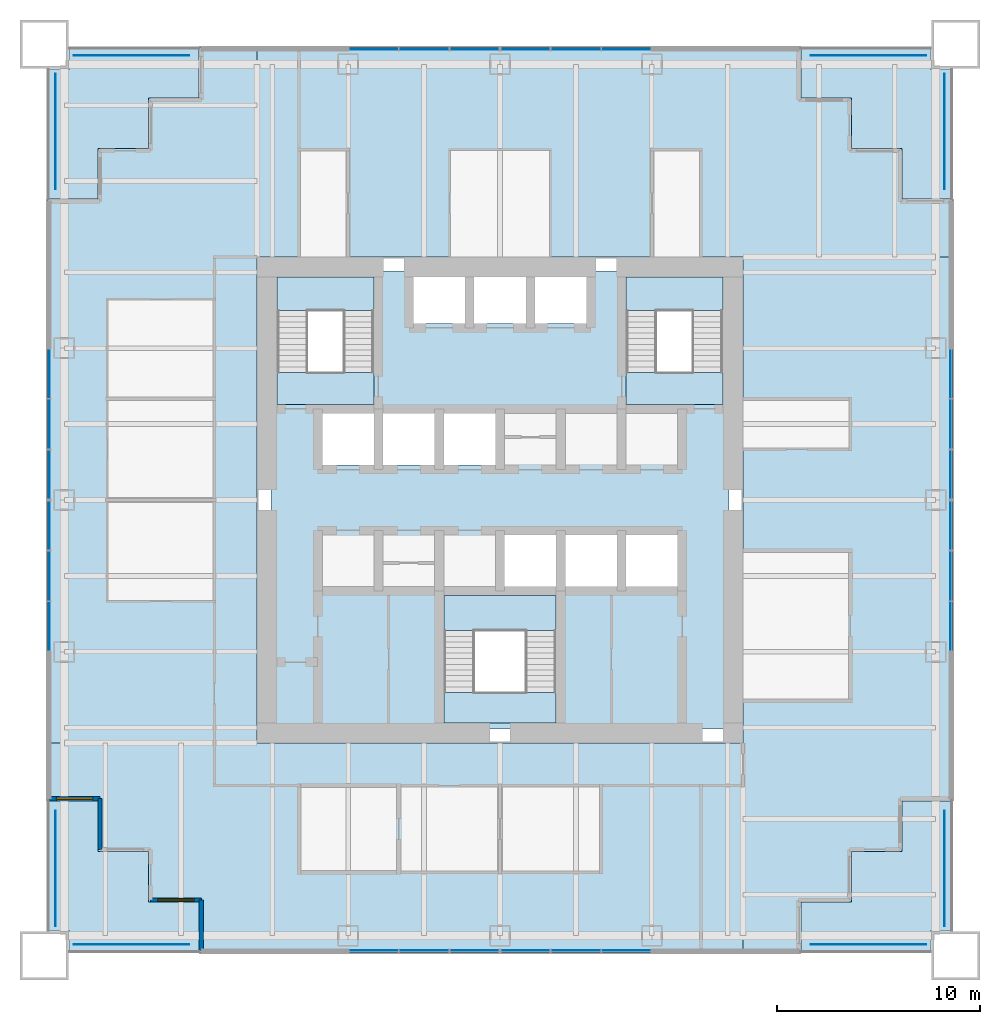
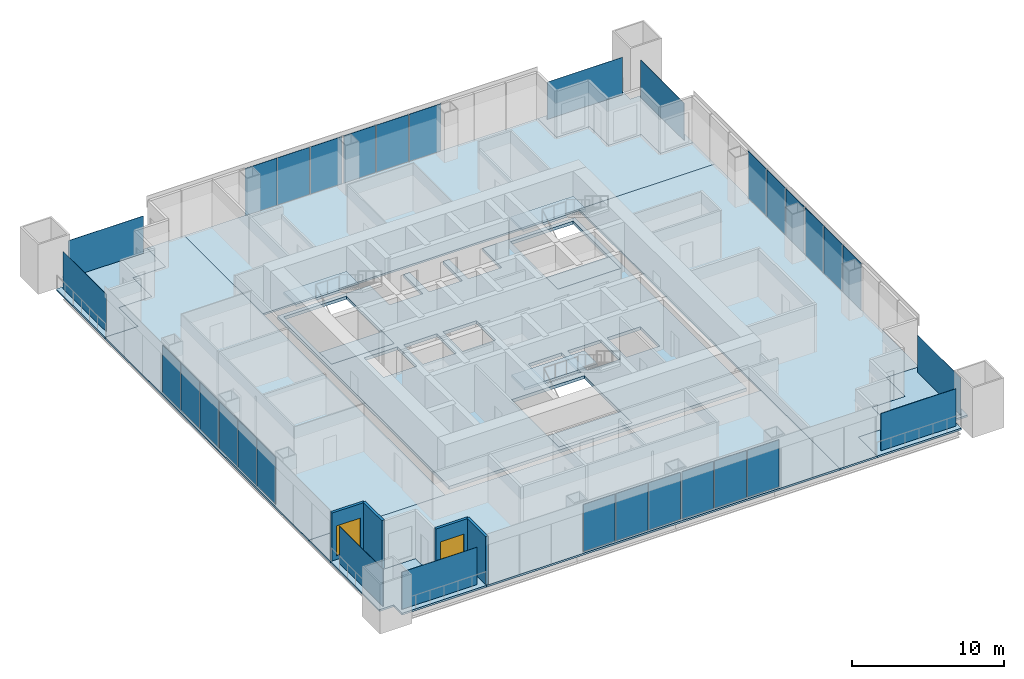
# One storey, part 7 of 13: 32 plates, 15 slabs, 4 walls, 2 windows, 2 openings, 11 elements without a shape of their own.
"""IFC4 building model written with IfcOpenShell, lengths in metres."""

from ifc_helpers import new_model, si_unit, direction, frame, frame_2d, origin, origin_2d, place, context, subcontext, project, spatial, polyline, rectangle, outline, extrude, material, layer, layer_set, type_object, element, fill, aggregate, save


model = new_model("IFC4")

# Units and contexts
model_context = context("Model", 3, precision=1e-05, world=origin(), true_north=direction((0.0, 1.0)))
body_context = subcontext(model_context, "Body", "Model", "MODEL_VIEW")
ifc_project = project(units=[si_unit("LENGTHUNIT", "METRE"), si_unit("AREAUNIT", "SQUARE_METRE"), si_unit("VOLUMEUNIT", "CUBIC_METRE"), si_unit("PLANEANGLEUNIT", "RADIAN"), si_unit("MASSUNIT", "GRAM", prefix="KILO")], contexts=[model_context])

# Site, building, storey
site_placement = place(None, origin())
site = spatial("IfcSite", under=ifc_project, at=site_placement, CompositionType="ELEMENT")
building_placement = place(site_placement, origin())
building = spatial("IfcBuilding", under=site, at=building_placement, Name="Tarangal Relay Tower", CompositionType="ELEMENT")
storey_placement = place(building_placement, frame((0.0, 0.0, 241.89990234375)))
storey = spatial("IfcBuildingStorey", under=building, at=storey_placement, Name="L52", CompositionType="ELEMENT", Elevation=241.89990234375)

# Slabs
ifc_material_1 = material(Name="Concrete fc' 35 MPa", Category="concrete")
ifc_layer_1 = layer(ifc_material_1, 0.25)
ifc_layer_set_1 = layer_set([ifc_layer_1], Name="Core floor slab 250")
slab_type_1 = type_object("IfcSlabType", Name="Core floor slab 250", PredefinedType="FLOOR", material=ifc_layer_set_1)
slab_1_placement = place(storey_placement, frame((0.0, 0.0, -0.25)))
element("IfcSlab", 1, at=slab_1_placement, inside=storey, type_object=slab_type_1, Name="Core floor slab L52", PredefinedType="FLOOR", context=body_context, shape_type="SweptSolid", body=[
    extrude(outline(polyline([(11.300048828125, 11.300048828125), (11.300048828125, -11.300048828125), (-11.300048828125, -11.300048828125), (-11.300048828125, 11.300048828125), (-4.27490234375, 11.300048828125), (-4.27490234375, 8.72509765625), (-1.72509765625, 8.72509765625), (-1.72509765625, 11.300048828125), (-1.27490234375, 11.300048828125), (-1.27490234375, 8.72509765625), (1.27490234375, 8.72509765625), (1.27490234375, 11.300048828125), (1.72509765625, 11.300048828125), (1.72509765625, 8.72509765625), (4.27490234375, 8.72509765625), (4.27490234375, 11.300048828125), (11.300048828125, 11.300048828125)]), holes=[polyline([(-6.22509765625, 4.27490234375), (-8.77490234375, 4.27490234375), (-8.77490234375, 1.72509765625), (-6.22509765625, 1.72509765625), (-6.22509765625, 4.27490234375)]), polyline([(-3.22509765625, 1.72509765625), (-3.22509765625, 4.27490234375), (-5.77490234375, 4.27490234375), (-5.77490234375, 1.72509765625), (-3.22509765625, 1.72509765625)]), polyline([(-0.22509765625, 1.72509765625), (-0.22509765625, 4.27490234375), (-2.77490234375, 4.27490234375), (-2.77490234375, 1.72509765625), (-0.22509765625, 1.72509765625)]), polyline([(-6.22509765625, 11.0), (-11.0, 11.0), (-11.0, 4.72509765625), (-6.22509765625, 4.72509765625), (-6.22509765625, 11.0)]), polyline([(2.77490234375, -4.72509765625), (-2.77490234375, -4.72509765625), (-2.77490234375, -11.0), (2.77490234375, -11.0), (2.77490234375, -4.72509765625)]), polyline([(2.77490234375, -4.27490234375), (2.77490234375, -1.72509765625), (0.22509765625, -1.72509765625), (0.22509765625, -4.27490234375), (2.77490234375, -4.27490234375)]), polyline([(5.77490234375, -4.27490234375), (5.77490234375, -1.72509765625), (3.22509765625, -1.72509765625), (3.22509765625, -4.27490234375), (5.77490234375, -4.27490234375)]), polyline([(8.77490234375, -1.72509765625), (6.22509765625, -1.72509765625), (6.22509765625, -4.27490234375), (8.77490234375, -4.27490234375), (8.77490234375, -1.72509765625)]), polyline([(11.0, 4.72509765625), (11.0, 11.0), (6.22509765625, 11.0), (6.22509765625, 4.72509765625), (11.0, 4.72509765625)])]), origin(), (0.0, 0.0, 1.0), 0.25),
])
ifc_layer_2 = layer(ifc_material_1, 0.14990234375)
ifc_layer_set_2 = layer_set([ifc_layer_2], Name="Floor slab 150")
slab_type_2 = type_object("IfcSlabType", Name="Floor slab 150", PredefinedType="FLOOR", material=ifc_layer_set_2)
slab_2_placement = place(storey_placement, frame((0.0, 0.0, -0.14990234375)))
element("IfcSlab", 2, at=slab_2_placement, inside=storey, type_object=slab_type_2, Name="Floor slab FS3 L52 north bay", PredefinedType="FLOOR", context=body_context, shape_type="SweptSolid", body=[
    extrude(outline(polyline([(14.85009765625, 22.35009765625), (14.85009765625, 19.85009765625), (17.35009765625, 19.85009765625), (17.35009765625, 17.35009765625), (19.85009765625, 17.35009765625), (19.85009765625, 14.85009765625), (22.35009765625, 14.85009765625), (22.35009765625, 12.0), (-12.0, 12.0), (-12.0, 22.35009765625), (14.85009765625, 22.35009765625)])), origin(), (0.0, 0.0, 1.0), 0.14990234375),
])
slab_3_placement = place(storey_placement, frame((0.0, 0.0, -0.14990234375)))
element("IfcSlab", 3, at=slab_3_placement, inside=storey, type_object=slab_type_2, Name="Floor slab FS3 L52 east bay", PredefinedType="FLOOR", context=body_context, shape_type="SweptSolid", body=[
    extrude(outline(polyline([(22.35009765625, -14.85009765625), (19.85009765625, -14.85009765625), (19.85009765625, -17.35009765625), (17.35009765625, -17.35009765625), (17.35009765625, -19.85009765625), (14.85009765625, -19.85009765625), (14.85009765625, -22.35009765625), (12.0, -22.35009765625), (12.0, 12.0), (22.35009765625, 12.0), (22.35009765625, -14.85009765625)])), origin(), (0.0, 0.0, 1.0), 0.14990234375),
])
slab_4_placement = place(storey_placement, frame((0.0, 0.0, -0.14990234375)))
element("IfcSlab", 4, at=slab_4_placement, inside=storey, type_object=slab_type_2, Name="Floor slab FS3 L52 south bay", PredefinedType="FLOOR", context=body_context, shape_type="SweptSolid", body=[
    extrude(outline(polyline([(-14.85009765625, -22.35009765625), (-14.85009765625, -19.85009765625), (-17.35009765625, -19.85009765625), (-17.35009765625, -17.35009765625), (-19.85009765625, -17.35009765625), (-19.85009765625, -14.85009765625), (-22.35009765625, -14.85009765625), (-22.35009765625, -12.0), (12.0, -12.0), (12.0, -22.35009765625), (-14.85009765625, -22.35009765625)])), origin(), (0.0, 0.0, 1.0), 0.14990234375),
])
slab_5_placement = place(storey_placement, frame((0.0, 0.0, -0.14990234375)))
element("IfcSlab", 5, at=slab_5_placement, inside=storey, type_object=slab_type_2, Name="Floor slab FS3 L52 west bay", PredefinedType="FLOOR", context=body_context, shape_type="SweptSolid", body=[
    extrude(outline(polyline([(-12.0, 22.35009765625), (-12.0, -12.0), (-22.35009765625, -12.0), (-22.35009765625, 14.85009765625), (-19.85009765625, 14.85009765625), (-19.85009765625, 17.35009765625), (-17.35009765625, 17.35009765625), (-17.35009765625, 19.85009765625), (-14.85009765625, 19.85009765625), (-14.85009765625, 22.35009765625), (-12.0, 22.35009765625)])), origin(), (0.0, 0.0, 1.0), 0.14990234375),
])

# Curtain wall, plates
ifc_material_2 = material(Name="Unitised curtain wall, dark glass and black aluminium", Category="aluminium")
curtain_wall_type = type_object("IfcCurtainWallType", Name="Curtain wall CW-A", PredefinedType="USERDEFINED", material=ifc_material_2)
curtain_wall_1_placement = place(storey_placement, origin())
curtain_wall_1 = element("IfcCurtainWall", 6, at=curtain_wall_1_placement, inside=storey, type_object=curtain_wall_type, Name="Curtain wall CW-A N facade L52", ObjectType="UNITISED CURTAIN WALL", PredefinedType="USERDEFINED")
ifc_material_3 = material(Name="Dark tinted insulated glass unit", Category="glass")
ifc_layer_3 = layer(ifc_material_3, 0.031982421875)
ifc_layer_set_3 = layer_set([ifc_layer_3], Name="Glazed panel CW-A 32")
plate_type_1 = type_object("IfcPlateType", Name="Glazed panel CW-A 32", PredefinedType="CURTAIN_PANEL", material=ifc_layer_set_3)
plate_1_placement = place(storey_placement, frame((-6.233642578125, 22.25, 0.06494140625), z_axis=(0.0, 0.0, 1.0), x_axis=(1.0, 0.0, 0.0)))
plate_1 = element("IfcPlate", 7, at=plate_1_placement, type_object=plate_type_1, Name="CW-A panel 1.1", PredefinedType="CURTAIN_PANEL", context=body_context, shape_type="SweptSolid", body=[
    extrude(rectangle(XDim=2.402587890625, YDim=0.031982421875, at=origin_2d()), origin(), (0.0, 0.0, 1.0), 3.784912109375),
])
plate_2_placement = place(storey_placement, frame((-3.75, 22.25, 0.06494140625), z_axis=(0.0, 0.0, 1.0), x_axis=(1.0, 0.0, 0.0)))
plate_2 = element("IfcPlate", 8, at=plate_2_placement, type_object=plate_type_1, Name="CW-A panel 2.1", PredefinedType="CURTAIN_PANEL", context=body_context, shape_type="SweptSolid", body=[
    extrude(rectangle(XDim=2.43505859375, YDim=0.031982421875, at=origin_2d()), origin(), (0.0, 0.0, 1.0), 3.784912109375),
])
plate_3_placement = place(storey_placement, frame((-1.266357421875, 22.25, 0.06494140625), z_axis=(0.0, 0.0, 1.0), x_axis=(1.0, 0.0, 0.0)))
plate_3 = element("IfcPlate", 9, at=plate_3_placement, type_object=plate_type_1, Name="CW-A panel 3.1", PredefinedType="CURTAIN_PANEL", context=body_context, shape_type="SweptSolid", body=[
    extrude(rectangle(XDim=2.402587890625, YDim=0.031982421875, at=origin_2d()), origin(), (0.0, 0.0, 1.0), 3.784912109375),
])
aggregate(curtain_wall_1, [plate_1, plate_2, plate_3])

curtain_wall_2_placement = place(storey_placement, origin())
curtain_wall_2 = element("IfcCurtainWall", 10, at=curtain_wall_2_placement, inside=storey, type_object=curtain_wall_type, Name="Curtain wall CW-A N facade L52", ObjectType="UNITISED CURTAIN WALL", PredefinedType="USERDEFINED")
plate_4_placement = place(storey_placement, frame((1.266357421875, 22.25, 0.06494140625), z_axis=(0.0, 0.0, 1.0), x_axis=(1.0, 0.0, 0.0)))
plate_4 = element("IfcPlate", 11, at=plate_4_placement, type_object=plate_type_1, Name="CW-A panel 1.1", PredefinedType="CURTAIN_PANEL", context=body_context, shape_type="SweptSolid", body=[
    extrude(rectangle(XDim=2.402587890625, YDim=0.031982421875, at=origin_2d()), origin(), (0.0, 0.0, 1.0), 3.784912109375),
])
plate_5_placement = place(storey_placement, frame((3.75, 22.25, 0.06494140625), z_axis=(0.0, 0.0, 1.0), x_axis=(1.0, 0.0, 0.0)))
plate_5 = element("IfcPlate", 12, at=plate_5_placement, type_object=plate_type_1, Name="CW-A panel 2.1", PredefinedType="CURTAIN_PANEL", context=body_context, shape_type="SweptSolid", body=[
    extrude(rectangle(XDim=2.43505859375, YDim=0.031982421875, at=origin_2d()), origin(), (0.0, 0.0, 1.0), 3.784912109375),
])
plate_6_placement = place(storey_placement, frame((6.233642578125, 22.25, 0.06494140625), z_axis=(0.0, 0.0, 1.0), x_axis=(1.0, 0.0, 0.0)))
plate_6 = element("IfcPlate", 13, at=plate_6_placement, type_object=plate_type_1, Name="CW-A panel 3.1", PredefinedType="CURTAIN_PANEL", context=body_context, shape_type="SweptSolid", body=[
    extrude(rectangle(XDim=2.402587890625, YDim=0.031982421875, at=origin_2d()), origin(), (0.0, 0.0, 1.0), 3.784912109375),
])
aggregate(curtain_wall_2, [plate_4, plate_5, plate_6])

curtain_wall_3_placement = place(storey_placement, origin())
curtain_wall_3 = element("IfcCurtainWall", 14, at=curtain_wall_3_placement, inside=storey, type_object=curtain_wall_type, Name="Curtain wall CW-A E facade L52", ObjectType="UNITISED CURTAIN WALL", PredefinedType="USERDEFINED")
plate_7_placement = place(storey_placement, frame((22.25, 6.233642578125, 0.06494140625), z_axis=(0.0, 0.0, 1.0), x_axis=(0.0, -1.0, 0.0)))
plate_7 = element("IfcPlate", 15, at=plate_7_placement, type_object=plate_type_1, Name="CW-A panel 1.1", PredefinedType="CURTAIN_PANEL", context=body_context, shape_type="SweptSolid", body=[
    extrude(rectangle(XDim=2.402587890625, YDim=0.031982421875, at=origin_2d()), origin(), (0.0, 0.0, 1.0), 3.784912109375),
])
plate_8_placement = place(storey_placement, frame((22.25, 3.75, 0.06494140625), z_axis=(0.0, 0.0, 1.0), x_axis=(0.0, -1.0, 0.0)))
plate_8 = element("IfcPlate", 16, at=plate_8_placement, type_object=plate_type_1, Name="CW-A panel 2.1", PredefinedType="CURTAIN_PANEL", context=body_context, shape_type="SweptSolid", body=[
    extrude(rectangle(XDim=2.43505859375, YDim=0.031982421875, at=origin_2d()), origin(), (0.0, 0.0, 1.0), 3.784912109375),
])
plate_9_placement = place(storey_placement, frame((22.25, 1.266357421875, 0.06494140625), z_axis=(0.0, 0.0, 1.0), x_axis=(0.0, -1.0, 0.0)))
plate_9 = element("IfcPlate", 17, at=plate_9_placement, type_object=plate_type_1, Name="CW-A panel 3.1", PredefinedType="CURTAIN_PANEL", context=body_context, shape_type="SweptSolid", body=[
    extrude(rectangle(XDim=2.402587890625, YDim=0.031982421875, at=origin_2d()), origin(), (0.0, 0.0, 1.0), 3.784912109375),
])
aggregate(curtain_wall_3, [plate_7, plate_8, plate_9])

curtain_wall_4_placement = place(storey_placement, origin())
curtain_wall_4 = element("IfcCurtainWall", 18, at=curtain_wall_4_placement, inside=storey, type_object=curtain_wall_type, Name="Curtain wall CW-A E facade L52", ObjectType="UNITISED CURTAIN WALL", PredefinedType="USERDEFINED")
plate_10_placement = place(storey_placement, frame((22.25, -1.266357421875, 0.06494140625), z_axis=(0.0, 0.0, 1.0), x_axis=(0.0, -1.0, 0.0)))
plate_10 = element("IfcPlate", 19, at=plate_10_placement, type_object=plate_type_1, Name="CW-A panel 1.1", PredefinedType="CURTAIN_PANEL", context=body_context, shape_type="SweptSolid", body=[
    extrude(rectangle(XDim=2.402587890625, YDim=0.031982421875, at=origin_2d()), origin(), (0.0, 0.0, 1.0), 3.784912109375),
])
plate_11_placement = place(storey_placement, frame((22.25, -3.75, 0.06494140625), z_axis=(0.0, 0.0, 1.0), x_axis=(0.0, -1.0, 0.0)))
plate_11 = element("IfcPlate", 20, at=plate_11_placement, type_object=plate_type_1, Name="CW-A panel 2.1", PredefinedType="CURTAIN_PANEL", context=body_context, shape_type="SweptSolid", body=[
    extrude(rectangle(XDim=2.43505859375, YDim=0.031982421875, at=origin_2d()), origin(), (0.0, 0.0, 1.0), 3.784912109375),
])
plate_12_placement = place(storey_placement, frame((22.25, -6.233642578125, 0.06494140625), z_axis=(0.0, 0.0, 1.0), x_axis=(0.0, -1.0, 0.0)))
plate_12 = element("IfcPlate", 21, at=plate_12_placement, type_object=plate_type_1, Name="CW-A panel 3.1", PredefinedType="CURTAIN_PANEL", context=body_context, shape_type="SweptSolid", body=[
    extrude(rectangle(XDim=2.402587890625, YDim=0.031982421875, at=origin_2d()), origin(), (0.0, 0.0, 1.0), 3.784912109375),
])
aggregate(curtain_wall_4, [plate_10, plate_11, plate_12])

curtain_wall_5_placement = place(storey_placement, origin())
curtain_wall_5 = element("IfcCurtainWall", 22, at=curtain_wall_5_placement, inside=storey, type_object=curtain_wall_type, Name="Curtain wall CW-A S facade L52", ObjectType="UNITISED CURTAIN WALL", PredefinedType="USERDEFINED")
plate_13_placement = place(storey_placement, frame((6.233642578125, -22.25, 0.06494140625), z_axis=(0.0, 0.0, 1.0), x_axis=(-1.0, 0.0, 0.0)))
plate_13 = element("IfcPlate", 23, at=plate_13_placement, type_object=plate_type_1, Name="CW-A panel 1.1", PredefinedType="CURTAIN_PANEL", context=body_context, shape_type="SweptSolid", body=[
    extrude(rectangle(XDim=2.402587890625, YDim=0.031982421875, at=origin_2d()), origin(), (0.0, 0.0, 1.0), 3.784912109375),
])
plate_14_placement = place(storey_placement, frame((3.75, -22.25, 0.06494140625), z_axis=(0.0, 0.0, 1.0), x_axis=(-1.0, 0.0, 0.0)))
plate_14 = element("IfcPlate", 24, at=plate_14_placement, type_object=plate_type_1, Name="CW-A panel 2.1", PredefinedType="CURTAIN_PANEL", context=body_context, shape_type="SweptSolid", body=[
    extrude(rectangle(XDim=2.43505859375, YDim=0.031982421875, at=origin_2d()), origin(), (0.0, 0.0, 1.0), 3.784912109375),
])
plate_15_placement = place(storey_placement, frame((1.266357421875, -22.25, 0.06494140625), z_axis=(0.0, 0.0, 1.0), x_axis=(-1.0, 0.0, 0.0)))
plate_15 = element("IfcPlate", 25, at=plate_15_placement, type_object=plate_type_1, Name="CW-A panel 3.1", PredefinedType="CURTAIN_PANEL", context=body_context, shape_type="SweptSolid", body=[
    extrude(rectangle(XDim=2.402587890625, YDim=0.031982421875, at=origin_2d()), origin(), (0.0, 0.0, 1.0), 3.784912109375),
])
aggregate(curtain_wall_5, [plate_13, plate_14, plate_15])

curtain_wall_6_placement = place(storey_placement, origin())
curtain_wall_6 = element("IfcCurtainWall", 26, at=curtain_wall_6_placement, inside=storey, type_object=curtain_wall_type, Name="Curtain wall CW-A S facade L52", ObjectType="UNITISED CURTAIN WALL", PredefinedType="USERDEFINED")
plate_16_placement = place(storey_placement, frame((-1.266357421875, -22.25, 0.06494140625), z_axis=(0.0, 0.0, 1.0), x_axis=(-1.0, 0.0, 0.0)))
plate_16 = element("IfcPlate", 27, at=plate_16_placement, type_object=plate_type_1, Name="CW-A panel 1.1", PredefinedType="CURTAIN_PANEL", context=body_context, shape_type="SweptSolid", body=[
    extrude(rectangle(XDim=2.402587890625, YDim=0.031982421875, at=origin_2d()), origin(), (0.0, 0.0, 1.0), 3.784912109375),
])
plate_17_placement = place(storey_placement, frame((-3.75, -22.25, 0.06494140625), z_axis=(0.0, 0.0, 1.0), x_axis=(-1.0, 0.0, 0.0)))
plate_17 = element("IfcPlate", 28, at=plate_17_placement, type_object=plate_type_1, Name="CW-A panel 2.1", PredefinedType="CURTAIN_PANEL", context=body_context, shape_type="SweptSolid", body=[
    extrude(rectangle(XDim=2.43505859375, YDim=0.031982421875, at=origin_2d()), origin(), (0.0, 0.0, 1.0), 3.784912109375),
])
plate_18_placement = place(storey_placement, frame((-6.233642578125, -22.25, 0.06494140625), z_axis=(0.0, 0.0, 1.0), x_axis=(-1.0, 0.0, 0.0)))
plate_18 = element("IfcPlate", 29, at=plate_18_placement, type_object=plate_type_1, Name="CW-A panel 3.1", PredefinedType="CURTAIN_PANEL", context=body_context, shape_type="SweptSolid", body=[
    extrude(rectangle(XDim=2.402587890625, YDim=0.031982421875, at=origin_2d()), origin(), (0.0, 0.0, 1.0), 3.784912109375),
])
aggregate(curtain_wall_6, [plate_16, plate_17, plate_18])

curtain_wall_7_placement = place(storey_placement, origin())
curtain_wall_7 = element("IfcCurtainWall", 30, at=curtain_wall_7_placement, inside=storey, type_object=curtain_wall_type, Name="Curtain wall CW-A W facade L52", ObjectType="UNITISED CURTAIN WALL", PredefinedType="USERDEFINED")
plate_19_placement = place(storey_placement, frame((-22.25, -6.233642578125, 0.06494140625), z_axis=(0.0, 0.0, 1.0), x_axis=(0.0, 1.0, 0.0)))
plate_19 = element("IfcPlate", 31, at=plate_19_placement, type_object=plate_type_1, Name="CW-A panel 1.1", PredefinedType="CURTAIN_PANEL", context=body_context, shape_type="SweptSolid", body=[
    extrude(rectangle(XDim=2.402587890625, YDim=0.031982421875, at=origin_2d()), origin(), (0.0, 0.0, 1.0), 3.784912109375),
])
plate_20_placement = place(storey_placement, frame((-22.25, -3.75, 0.06494140625), z_axis=(0.0, 0.0, 1.0), x_axis=(0.0, 1.0, 0.0)))
plate_20 = element("IfcPlate", 32, at=plate_20_placement, type_object=plate_type_1, Name="CW-A panel 2.1", PredefinedType="CURTAIN_PANEL", context=body_context, shape_type="SweptSolid", body=[
    extrude(rectangle(XDim=2.43505859375, YDim=0.031982421875, at=origin_2d()), origin(), (0.0, 0.0, 1.0), 3.784912109375),
])
plate_21_placement = place(storey_placement, frame((-22.25, -1.266357421875, 0.06494140625), z_axis=(0.0, 0.0, 1.0), x_axis=(0.0, 1.0, 0.0)))
plate_21 = element("IfcPlate", 33, at=plate_21_placement, type_object=plate_type_1, Name="CW-A panel 3.1", PredefinedType="CURTAIN_PANEL", context=body_context, shape_type="SweptSolid", body=[
    extrude(rectangle(XDim=2.402587890625, YDim=0.031982421875, at=origin_2d()), origin(), (0.0, 0.0, 1.0), 3.784912109375),
])
aggregate(curtain_wall_7, [plate_19, plate_20, plate_21])

curtain_wall_8_placement = place(storey_placement, origin())
curtain_wall_8 = element("IfcCurtainWall", 34, at=curtain_wall_8_placement, inside=storey, type_object=curtain_wall_type, Name="Curtain wall CW-A W facade L52", ObjectType="UNITISED CURTAIN WALL", PredefinedType="USERDEFINED")
plate_22_placement = place(storey_placement, frame((-22.25, 1.266357421875, 0.06494140625), z_axis=(0.0, 0.0, 1.0), x_axis=(0.0, 1.0, 0.0)))
plate_22 = element("IfcPlate", 35, at=plate_22_placement, type_object=plate_type_1, Name="CW-A panel 1.1", PredefinedType="CURTAIN_PANEL", context=body_context, shape_type="SweptSolid", body=[
    extrude(rectangle(XDim=2.402587890625, YDim=0.031982421875, at=origin_2d()), origin(), (0.0, 0.0, 1.0), 3.784912109375),
])
plate_23_placement = place(storey_placement, frame((-22.25, 3.75, 0.06494140625), z_axis=(0.0, 0.0, 1.0), x_axis=(0.0, 1.0, 0.0)))
plate_23 = element("IfcPlate", 36, at=plate_23_placement, type_object=plate_type_1, Name="CW-A panel 2.1", PredefinedType="CURTAIN_PANEL", context=body_context, shape_type="SweptSolid", body=[
    extrude(rectangle(XDim=2.43505859375, YDim=0.031982421875, at=origin_2d()), origin(), (0.0, 0.0, 1.0), 3.784912109375),
])
plate_24_placement = place(storey_placement, frame((-22.25, 6.233642578125, 0.06494140625), z_axis=(0.0, 0.0, 1.0), x_axis=(0.0, 1.0, 0.0)))
plate_24 = element("IfcPlate", 37, at=plate_24_placement, type_object=plate_type_1, Name="CW-A panel 3.1", PredefinedType="CURTAIN_PANEL", context=body_context, shape_type="SweptSolid", body=[
    extrude(rectangle(XDim=2.402587890625, YDim=0.031982421875, at=origin_2d()), origin(), (0.0, 0.0, 1.0), 3.784912109375),
])
aggregate(curtain_wall_8, [plate_22, plate_23, plate_24])

# Plates
ifc_material_4 = material(Name="Black stainless steel cable trellis with climbing planting", Category="steel")
ifc_layer_4 = layer(ifc_material_4, 0.030029296875)
ifc_layer_set_4 = layer_set([ifc_layer_4], Name="Planted trellis screen")
plate_type_2 = type_object("IfcPlateType", Name="Planted trellis screen", PredefinedType="SHEET", material=ifc_layer_set_4)
for number, where, z_axis, x_axis, name in (
    (38, (21.949951171875, 18.199951171875, 0.0), (0.0, 0.0, 1.0), (0.0, -1.0, 0.0), "Planted trellis SC2 NE L52"),
    (39, (18.199951171875, -21.949951171875, 0.0), (0.0, 0.0, 1.0), (-1.0, 0.0, 0.0), "Planted trellis SC2 SE L52"),
    (40, (-21.949951171875, -18.199951171875, 0.0), (0.0, 0.0, 1.0), (0.0, 1.0, 0.0), "Planted trellis SC2 SW L52"),
    (41, (-18.199951171875, 21.949951171875, 0.0), (0.0, 0.0, 1.0), (1.0, 0.0, 0.0), "Planted trellis SC2 NW L52"),
):
    element("IfcPlate", number, at=place(storey_placement, frame(where, z_axis=z_axis, x_axis=x_axis)), inside=storey, type_object=plate_type_2, Name=name, PredefinedType="SHEET", context=body_context, shape_type="SweptSolid", body=[
        extrude(rectangle(XDim=5.699951171875, YDim=0.030029296875, at=origin_2d()), origin(), (0.0, 0.0, 1.0), 3.0),
    ])

# Stair, slabs
ifc_material_5 = material(Name="Steel ASTM A992 stair flight", Category="steel")
stair_type = type_object("IfcStairType", Name="Core stair 1500", PredefinedType="HALF_TURN_STAIR", material=ifc_material_5)
stair_1_placement = place(storey_placement, origin())
stair_1 = element("IfcStair", 42, at=stair_1_placement, inside=storey, type_object=stair_type, Name="Stair ST-A L52", PredefinedType="HALF_TURN_STAIR")
ifc_layer_5 = layer(ifc_material_1, 0.199951171875)
ifc_layer_set_5 = layer_set([ifc_layer_5], Name="Stair landing 200")
slab_type_3 = type_object("IfcSlabType", Name="Stair landing 200", PredefinedType="LANDING", material=ifc_layer_set_5)
slab_6_placement = place(storey_placement, frame((0.0, 0.0, -0.199951171875)))
slab_6 = element("IfcSlab", 43, at=slab_6_placement, type_object=slab_type_3, Name="ST-A landing 1", PredefinedType="LANDING", context=body_context, shape_type="SweptSolid", body=[
    extrude(outline(polyline([(-11.0, 4.72509765625), (-6.22509765625, 4.72509765625), (-6.22509765625, 6.300048828125), (-11.0, 6.300048828125), (-11.0, 4.72509765625)])), origin(), (0.0, 0.0, 1.0), 0.199951171875),
])
slab_7_placement = place(storey_placement, frame((0.0, 0.0, 1.800048828125)))
slab_7 = element("IfcSlab", 44, at=slab_7_placement, type_object=slab_type_3, Name="ST-A landing 2", PredefinedType="LANDING", context=body_context, shape_type="SweptSolid", body=[
    extrude(outline(polyline([(-11.0, 9.346923828125), (-6.22509765625, 9.346923828125), (-6.22509765625, 11.0), (-11.0, 11.0), (-11.0, 9.346923828125)])), origin(), (0.0, 0.0, 1.0), 0.199951171875),
])
aggregate(stair_1, [slab_6, slab_7])

stair_2_placement = place(storey_placement, origin())
stair_2 = element("IfcStair", 45, at=stair_2_placement, inside=storey, type_object=stair_type, Name="Stair ST-B L52", PredefinedType="HALF_TURN_STAIR")
slab_8_placement = place(storey_placement, frame((0.0, 0.0, -0.199951171875)))
slab_8 = element("IfcSlab", 46, at=slab_8_placement, type_object=slab_type_3, Name="ST-B landing 1", PredefinedType="LANDING", context=body_context, shape_type="SweptSolid", body=[
    extrude(outline(polyline([(6.22509765625, 4.72509765625), (11.0, 4.72509765625), (11.0, 6.300048828125), (6.22509765625, 6.300048828125), (6.22509765625, 4.72509765625)])), origin(), (0.0, 0.0, 1.0), 0.199951171875),
])
slab_9_placement = place(storey_placement, frame((0.0, 0.0, 1.800048828125)))
slab_9 = element("IfcSlab", 47, at=slab_9_placement, type_object=slab_type_3, Name="ST-B landing 2", PredefinedType="LANDING", context=body_context, shape_type="SweptSolid", body=[
    extrude(outline(polyline([(6.22509765625, 9.346923828125), (11.0, 9.346923828125), (11.0, 11.0), (6.22509765625, 11.0), (6.22509765625, 9.346923828125)])), origin(), (0.0, 0.0, 1.0), 0.199951171875),
])
aggregate(stair_2, [slab_8, slab_9])

stair_3_placement = place(storey_placement, origin())
stair_3 = element("IfcStair", 48, at=stair_3_placement, inside=storey, type_object=stair_type, Name="Stair ST-C L52", PredefinedType="HALF_TURN_STAIR")
slab_10_placement = place(storey_placement, frame((0.0, 0.0, -0.199951171875)))
slab_10 = element("IfcSlab", 49, at=slab_10_placement, type_object=slab_type_3, Name="ST-C landing 1", PredefinedType="LANDING", context=body_context, shape_type="SweptSolid", body=[
    extrude(outline(polyline([(-2.77490234375, -11.0), (2.77490234375, -11.0), (2.77490234375, -9.5), (-2.77490234375, -9.5), (-2.77490234375, -11.0)])), origin(), (0.0, 0.0, 1.0), 0.199951171875),
])
slab_11_placement = place(storey_placement, frame((0.0, 0.0, 1.800048828125)))
slab_11 = element("IfcSlab", 50, at=slab_11_placement, type_object=slab_type_3, Name="ST-C landing 2", PredefinedType="LANDING", context=body_context, shape_type="SweptSolid", body=[
    extrude(outline(polyline([(-2.77490234375, -6.452880859375), (2.77490234375, -6.452880859375), (2.77490234375, -4.72509765625), (-2.77490234375, -4.72509765625), (-2.77490234375, -6.452880859375)])), origin(), (0.0, 0.0, 1.0), 0.199951171875),
])
aggregate(stair_3, [slab_10, slab_11])

# Plates
ifc_material_6 = material(Name="Perforated black aluminium screen", Category="aluminium")
ifc_layer_6 = layer(ifc_material_6, 0.02001953125)
ifc_layer_set_6 = layer_set([ifc_layer_6], Name="Terrace screen panel")
plate_type_3 = type_object("IfcPlateType", Name="Terrace screen panel", PredefinedType="SHEET", material=ifc_layer_set_6)
for number, where, z_axis, x_axis, name in (
    (51, (18.199951171875, 21.949951171875, 0.0), (0.0, 0.0, 1.0), (1.0, 0.0, 0.0), "Terrace screen SC1 NE L52"),
    (52, (21.949951171875, -18.199951171875, 0.0), (0.0, 0.0, 1.0), (0.0, -1.0, 0.0), "Terrace screen SC1 SE L52"),
    (53, (-18.199951171875, -21.949951171875, 0.0), (0.0, 0.0, 1.0), (-1.0, 0.0, 0.0), "Terrace screen SC1 SW L52"),
    (54, (-21.949951171875, 18.199951171875, 0.0), (0.0, 0.0, 1.0), (0.0, 1.0, 0.0), "Terrace screen SC1 NW L52"),
):
    element("IfcPlate", number, at=place(storey_placement, frame(where, z_axis=z_axis, x_axis=x_axis)), inside=storey, type_object=plate_type_3, Name=name, PredefinedType="SHEET", context=body_context, shape_type="SweptSolid", body=[
        extrude(rectangle(XDim=5.699951171875, YDim=0.02001953125, at=origin_2d()), origin(), (0.0, 0.0, 1.0), 3.0),
    ])

# Slabs
ifc_layer_7 = layer(ifc_material_1, 0.14990234375)
ifc_layer_set_7 = layer_set([ifc_layer_7], Name="Terrace slab 150")
slab_type_4 = type_object("IfcSlabType", Name="Terrace slab 150", PredefinedType="FLOOR", material=ifc_layer_set_7)
slab_12_placement = place(storey_placement, frame((0.0, 0.0, -0.14990234375)))
element("IfcSlab", 55, at=slab_12_placement, inside=storey, type_object=slab_type_4, Name="Corner terrace NE L52", PredefinedType="FLOOR", context=body_context, shape_type="SweptSolid", body=[
    extrude(outline(polyline([(14.85009765625, 22.35009765625), (14.85009765625, 19.85009765625), (17.35009765625, 19.85009765625), (17.35009765625, 17.35009765625), (19.85009765625, 17.35009765625), (19.85009765625, 14.85009765625), (22.35009765625, 14.85009765625), (22.35009765625, 21.25), (21.25, 21.25), (21.25, 22.35009765625), (14.85009765625, 22.35009765625)])), origin(), (0.0, 0.0, 1.0), 0.14990234375),
])
slab_13_placement = place(storey_placement, frame((0.0, 0.0, -0.14990234375)))
element("IfcSlab", 56, at=slab_13_placement, inside=storey, type_object=slab_type_4, Name="Corner terrace SE L52", PredefinedType="FLOOR", context=body_context, shape_type="SweptSolid", body=[
    extrude(outline(polyline([(22.35009765625, -14.85009765625), (19.85009765625, -14.85009765625), (19.85009765625, -17.35009765625), (17.35009765625, -17.35009765625), (17.35009765625, -19.85009765625), (14.85009765625, -19.85009765625), (14.85009765625, -22.35009765625), (21.25, -22.35009765625), (21.25, -21.25), (22.35009765625, -21.25), (22.35009765625, -14.85009765625)])), origin(), (0.0, 0.0, 1.0), 0.14990234375),
])
slab_14_placement = place(storey_placement, frame((0.0, 0.0, -0.14990234375)))
element("IfcSlab", 57, at=slab_14_placement, inside=storey, type_object=slab_type_4, Name="Corner terrace SW L52", PredefinedType="FLOOR", context=body_context, shape_type="SweptSolid", body=[
    extrude(outline(polyline([(-14.85009765625, -22.35009765625), (-14.85009765625, -19.85009765625), (-17.35009765625, -19.85009765625), (-17.35009765625, -17.35009765625), (-19.85009765625, -17.35009765625), (-19.85009765625, -14.85009765625), (-22.35009765625, -14.85009765625), (-22.35009765625, -21.25), (-21.25, -21.25), (-21.25, -22.35009765625), (-14.85009765625, -22.35009765625)])), origin(), (0.0, 0.0, 1.0), 0.14990234375),
])
slab_15_placement = place(storey_placement, frame((0.0, 0.0, -0.14990234375)))
element("IfcSlab", 58, at=slab_15_placement, inside=storey, type_object=slab_type_4, Name="Corner terrace NW L52", PredefinedType="FLOOR", context=body_context, shape_type="SweptSolid", body=[
    extrude(outline(polyline([(-22.35009765625, 14.85009765625), (-19.85009765625, 14.85009765625), (-19.85009765625, 17.35009765625), (-17.35009765625, 17.35009765625), (-17.35009765625, 19.85009765625), (-14.85009765625, 19.85009765625), (-14.85009765625, 22.35009765625), (-21.25, 22.35009765625), (-21.25, 21.25), (-22.35009765625, 21.25), (-22.35009765625, 14.85009765625)])), origin(), (0.0, 0.0, 1.0), 0.14990234375),
])

# Wall
ifc_material_7 = material(Name="Black metal clad insulated wall", Category="steel")
ifc_layer_8 = layer(ifc_material_7, 0.199951171875)
ifc_layer_set_8 = layer_set([ifc_layer_8], Name="Corner wall metal clad 200")
wall_type = type_object("IfcWallType", Name="Corner wall metal clad 200", PredefinedType="SOLIDWALL", material=ifc_layer_set_8)
wall_1_placement = place(storey_placement, frame((-14.75, -22.25, 0.0), z_axis=(0.0, 0.0, 1.0), x_axis=(0.0, 1.0, 0.0)))
element("IfcWall", 59, at=wall_1_placement, inside=storey, type_object=wall_type, Name="Facade wall S facade L52", PredefinedType="SOLIDWALL", context=body_context, shape_type="SweptSolid", body=[
    extrude(rectangle(XDim=2.5, YDim=0.199951171875, at=frame_2d((1.25, 0.0))), origin(), (0.0, 0.0, 1.0), 3.85009765625),
])

# Wall, opening, window
wall_2_placement = place(storey_placement, frame((-14.75, -19.75, 0.0), z_axis=(0.0, 0.0, 1.0), x_axis=(-1.0, 0.0, 0.0)))
wall_2 = element("IfcWall", 60, at=wall_2_placement, inside=storey, type_object=wall_type, Name="Facade wall S facade L52", PredefinedType="SOLIDWALL", context=body_context, shape_type="SweptSolid", body=[
    extrude(rectangle(XDim=2.5, YDim=0.199951171875, at=frame_2d((1.25, 0.0))), origin(), (0.0, 0.0, 1.0), 3.85009765625),
])
opening_1_placement = place(wall_2_placement, frame((0.35009765625, 0.0, 0.300048828125)))
opening_1 = element("IfcOpeningElement", 61, at=opening_1_placement, cuts=wall_2, Name="Opening WN2", PredefinedType="OPENING", context=body_context, shape_type="SweptSolid", body=[
    extrude(rectangle(XDim=1.800048828125, YDim=2.39990234375, at=frame_2d((0.89990234375, 1.199951171875))), frame((0.0, 0.10986328125, 0.0), z_axis=(0.0, -1.0, 0.0), x_axis=(1.0, 0.0, 0.0)), (0.0, 0.0, 1.0), 0.219970703125),
])
ifc_material_8 = material(Name="Dark tinted double glazing in black aluminium frame", Category="aluminium")
window_type = type_object("IfcWindowType", Name="Corner window 1800 x 2400", PartitioningType="SINGLE_PANEL", PredefinedType="WINDOW", material=ifc_material_8)
window_1_placement = place(opening_1_placement, origin())
window_1 = element("IfcWindow", 62, at=window_1_placement, inside=storey, type_object=window_type, Name="Corner window WN2 S facade L52", OverallHeight=2.39990234375, OverallWidth=1.800048828125, PartitioningType="SINGLE_PANEL", PredefinedType="WINDOW", context=body_context, shape_type="SweptSolid", body=[
    extrude(rectangle(XDim=1.800048828125, YDim=2.39990234375, at=frame_2d((0.89990234375, 1.199951171875))), frame((0.0, 0.030029296875, 0.0), z_axis=(0.0, -1.0, 0.0), x_axis=(1.0, 0.0, 0.0)), (0.0, 0.0, 1.0), 0.06005859375),
])
fill(opening_1, window_1)

# Wall
wall_3_placement = place(storey_placement, frame((-19.75, -17.25, 0.0), z_axis=(0.0, 0.0, 1.0), x_axis=(0.0, 1.0, 0.0)))
element("IfcWall", 63, at=wall_3_placement, inside=storey, type_object=wall_type, Name="Facade wall S facade L52", PredefinedType="SOLIDWALL", context=body_context, shape_type="SweptSolid", body=[
    extrude(rectangle(XDim=2.5, YDim=0.199951171875, at=frame_2d((1.25, 0.0))), origin(), (0.0, 0.0, 1.0), 3.85009765625),
])

# Wall, opening, window
wall_4_placement = place(storey_placement, frame((-19.75, -14.75, 0.0), z_axis=(0.0, 0.0, 1.0), x_axis=(-1.0, 0.0, 0.0)))
wall_4 = element("IfcWall", 64, at=wall_4_placement, inside=storey, type_object=wall_type, Name="Facade wall S facade L52", PredefinedType="SOLIDWALL", context=body_context, shape_type="SweptSolid", body=[
    extrude(rectangle(XDim=2.5, YDim=0.199951171875, at=frame_2d((1.25, 0.0))), origin(), (0.0, 0.0, 1.0), 3.85009765625),
])
opening_2_placement = place(wall_4_placement, frame((0.35009765625, 0.0, 0.300048828125)))
opening_2 = element("IfcOpeningElement", 65, at=opening_2_placement, cuts=wall_4, Name="Opening WN2", PredefinedType="OPENING", context=body_context, shape_type="SweptSolid", body=[
    extrude(rectangle(XDim=1.800048828125, YDim=2.39990234375, at=frame_2d((0.89990234375, 1.199951171875))), frame((0.0, 0.10986328125, 0.0), z_axis=(0.0, -1.0, 0.0), x_axis=(1.0, 0.0, 0.0)), (0.0, 0.0, 1.0), 0.219970703125),
])
window_2_placement = place(opening_2_placement, origin())
window_2 = element("IfcWindow", 66, at=window_2_placement, inside=storey, type_object=window_type, Name="Corner window WN2 S facade L52", OverallHeight=2.39990234375, OverallWidth=1.800048828125, PartitioningType="SINGLE_PANEL", PredefinedType="WINDOW", context=body_context, shape_type="SweptSolid", body=[
    extrude(rectangle(XDim=1.800048828125, YDim=2.39990234375, at=frame_2d((0.89990234375, 1.199951171875))), frame((0.0, 0.030029296875, 0.0), z_axis=(0.0, -1.0, 0.0), x_axis=(1.0, 0.0, 0.0)), (0.0, 0.0, 1.0), 0.06005859375),
])
fill(opening_2, window_2)

save(model, "model.ifc")
